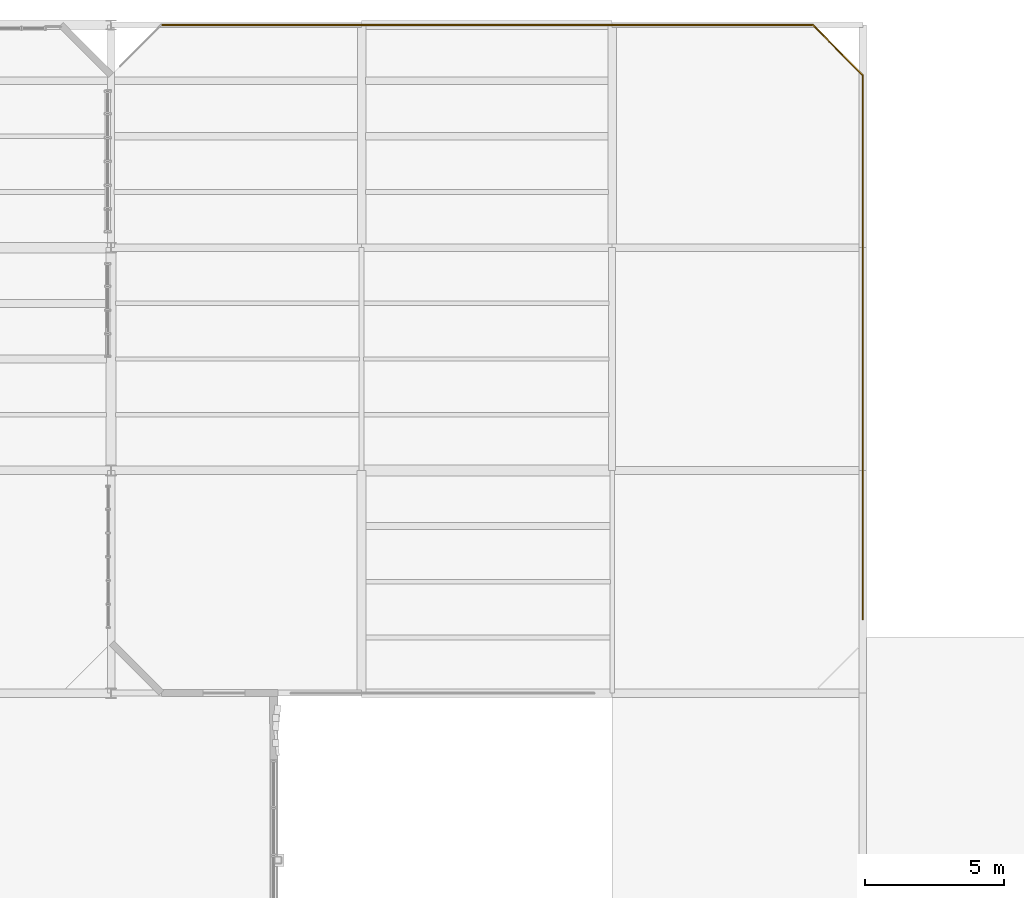
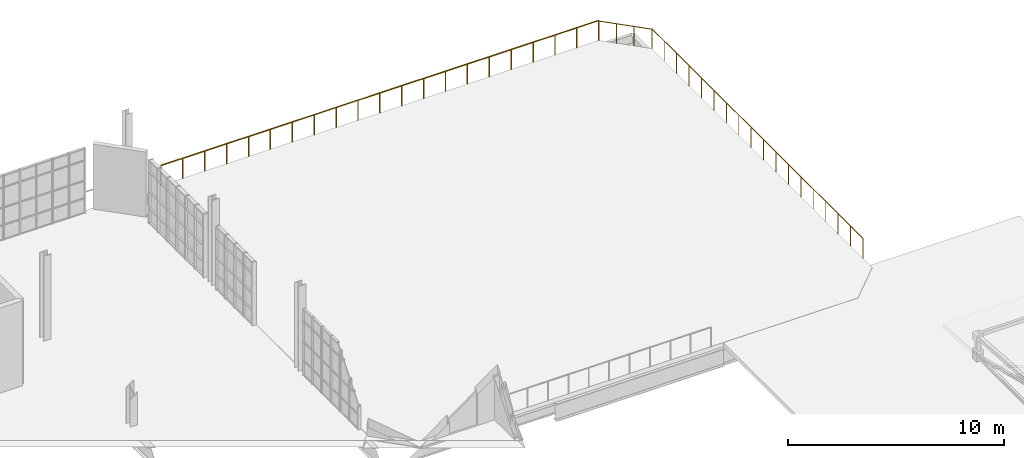
# One storey, part 85 of 85: 3 railings.
"""IFC4 building model written with IfcOpenShell, lengths in metres."""

from ifc_helpers import new_model, si_unit, direction, frame, origin, origin_2d, place, context, subcontext, project, spatial, circle, extrude, material, type_object, element, save


model = new_model("IFC4")

# Units and contexts
model_context = context("Model", 3, precision=1e-05, world=origin(), true_north=direction((0.0, 1.0)))
body_context = subcontext(model_context, "Body", "Model", "MODEL_VIEW")
ifc_project = project(units=[si_unit("LENGTHUNIT", "METRE"), si_unit("AREAUNIT", "SQUARE_METRE"), si_unit("VOLUMEUNIT", "CUBIC_METRE"), si_unit("PLANEANGLEUNIT", "RADIAN"), si_unit("MASSUNIT", "GRAM", prefix="KILO"), si_unit("THERMODYNAMICTEMPERATUREUNIT", "KELVIN"), si_unit("POWERUNIT", "WATT")], contexts=[model_context])

# Site, building, storey
site_placement = place(None, origin())
site = spatial("IfcSite", under=ifc_project, at=site_placement, CompositionType="ELEMENT")
building_placement = place(site_placement, origin())
building = spatial("IfcBuilding", under=site, at=building_placement, Name="Zelmaris Science Centre", CompositionType="ELEMENT")
storey_placement = place(building_placement, frame((0.0, 0.0, 20.39990234375)))
storey = spatial("IfcBuildingStorey", under=building, at=storey_placement, Name="L04", CompositionType="ELEMENT", Elevation=20.39990234375)

# Railings
ifc_material = material(Name="Architectural bronze alloy C28000")
railing_type_1 = type_object("IfcRailingType", Name="Balustrade GD-01 H1120", PredefinedType="BALUSTRADE", material=ifc_material)
railing_1_placement = place(storey_placement, frame((106.199951171875, 88.0, 0.0)))
element("IfcRailing", 1, at=railing_1_placement, inside=storey, type_object=railing_type_1, Name="L04 Terrace safety balustrade 37", PredefinedType="BALUSTRADE", context=body_context, shape_type="SweptSolid", body=[
    extrude(circle(Radius=0.02392578125, at=origin_2d()), frame((0.0, 0.0, 1.09619140625), z_axis=(0.707106781187, -0.707106781187, 0.0), x_axis=(0.707106781187, 0.707106781187, 0.0)), (0.0, 0.0, 1.0), 2.545654296875),
    extrude(circle(Radius=0.02099609375, at=origin_2d()), origin(), (0.0, 0.0, 1.0), 1.072021484375),
    extrude(circle(Radius=0.02099609375, at=origin_2d()), frame((0.60009765625, -0.60009765625, 0.0)), (0.0, 0.0, 1.0), 1.072021484375),
    extrude(circle(Radius=0.02099609375, at=origin_2d()), frame((1.199951171875, -1.199951171875, 0.0)), (0.0, 0.0, 1.0), 1.072021484375),
    extrude(circle(Radius=0.02099609375, at=origin_2d()), frame((1.800048828125, -1.800048828125, 0.0)), (0.0, 0.0, 1.0), 1.072021484375),
])
railing_type_2 = type_object("IfcRailingType", Name="Balustrade GD-02 H1150", PredefinedType="BALUSTRADE", material=ifc_material)
railing_2_placement = place(storey_placement, frame((82.800048828125, 88.0, 0.0)))
element("IfcRailing", 2, at=railing_2_placement, inside=storey, type_object=railing_type_2, Name="L04 Terrace safety balustrade 36", PredefinedType="BALUSTRADE", context=body_context, shape_type="SweptSolid", body=[
    extrude(circle(Radius=0.02392578125, at=origin_2d()), frame((0.0, 0.0, 1.1259765625), z_axis=(1.0, 0.0, 0.0), x_axis=(0.0, 1.0, 0.0)), (0.0, 0.0, 1.0), 23.39990234375),
    extrude(circle(Radius=0.02099609375, at=origin_2d()), origin(), (0.0, 0.0, 1.0), 1.101806640625),
    extrude(circle(Radius=0.02099609375, at=origin_2d()), frame((1.169921875, 0.0, 0.0)), (0.0, 0.0, 1.0), 1.101806640625),
    extrude(circle(Radius=0.02099609375, at=origin_2d()), frame((2.340087890625, 0.0, 0.0)), (0.0, 0.0, 1.0), 1.101806640625),
    extrude(circle(Radius=0.02099609375, at=origin_2d()), frame((3.510009765625, 0.0, 0.0)), (0.0, 0.0, 1.0), 1.101806640625),
    extrude(circle(Radius=0.02099609375, at=origin_2d()), frame((4.679931640625, 0.0, 0.0)), (0.0, 0.0, 1.0), 1.101806640625),
    extrude(circle(Radius=0.02099609375, at=origin_2d()), frame((5.85009765625, 0.0, 0.0)), (0.0, 0.0, 1.0), 1.101806640625),
    extrude(circle(Radius=0.02099609375, at=origin_2d()), frame((7.02001953125, 0.0, 0.0)), (0.0, 0.0, 1.0), 1.101806640625),
    extrude(circle(Radius=0.02099609375, at=origin_2d()), frame((8.18994140625, 0.0, 0.0)), (0.0, 0.0, 1.0), 1.101806640625),
    extrude(circle(Radius=0.02099609375, at=origin_2d()), frame((9.35986328125, 0.0, 0.0)), (0.0, 0.0, 1.0), 1.101806640625),
    extrude(circle(Radius=0.02099609375, at=origin_2d()), frame((10.530029296875, 0.0, 0.0)), (0.0, 0.0, 1.0), 1.101806640625),
    extrude(circle(Radius=0.02099609375, at=origin_2d()), frame((11.699951171875, 0.0, 0.0)), (0.0, 0.0, 1.0), 1.101806640625),
    extrude(circle(Radius=0.02099609375, at=origin_2d()), frame((12.869873046875, 0.0, 0.0)), (0.0, 0.0, 1.0), 1.101806640625),
    extrude(circle(Radius=0.02099609375, at=origin_2d()), frame((14.0400390625, 0.0, 0.0)), (0.0, 0.0, 1.0), 1.101806640625),
    extrude(circle(Radius=0.02099609375, at=origin_2d()), frame((15.2099609375, 0.0, 0.0)), (0.0, 0.0, 1.0), 1.101806640625),
    extrude(circle(Radius=0.02099609375, at=origin_2d()), frame((16.3798828125, 0.0, 0.0)), (0.0, 0.0, 1.0), 1.101806640625),
    extrude(circle(Radius=0.02099609375, at=origin_2d()), frame((17.5498046875, 0.0, 0.0)), (0.0, 0.0, 1.0), 1.101806640625),
    extrude(circle(Radius=0.02099609375, at=origin_2d()), frame((18.719970703125, 0.0, 0.0)), (0.0, 0.0, 1.0), 1.101806640625),
    extrude(circle(Radius=0.02099609375, at=origin_2d()), frame((19.889892578125, 0.0, 0.0)), (0.0, 0.0, 1.0), 1.101806640625),
    extrude(circle(Radius=0.02099609375, at=origin_2d()), frame((21.059814453125, 0.0, 0.0)), (0.0, 0.0, 1.0), 1.101806640625),
    extrude(circle(Radius=0.02099609375, at=origin_2d()), frame((22.22998046875, 0.0, 0.0)), (0.0, 0.0, 1.0), 1.101806640625),
    extrude(circle(Radius=0.02099609375, at=origin_2d()), frame((23.39990234375, 0.0, 0.0)), (0.0, 0.0, 1.0), 1.101806640625),
])
railing_3_placement = place(storey_placement, frame((108.0, 86.199951171875, 0.0)))
element("IfcRailing", 3, at=railing_3_placement, inside=storey, type_object=railing_type_2, Name="L04 Terrace safety balustrade 38", PredefinedType="BALUSTRADE", context=body_context, shape_type="SweptSolid", body=[
    extrude(circle(Radius=0.02392578125, at=origin_2d()), frame((0.0, 0.0, 1.1259765625), z_axis=(0.0, -1.0, 0.0), x_axis=(1.0, 0.0, 0.0)), (0.0, 0.0, 1.0), 19.550537109375),
    extrude(circle(Radius=0.02099609375, at=origin_2d()), origin(), (0.0, 0.0, 1.0), 1.101806640625),
    extrude(circle(Radius=0.02099609375, at=origin_2d()), frame((0.0, -1.150146484375, 0.0)), (0.0, 0.0, 1.0), 1.101806640625),
    extrude(circle(Radius=0.02099609375, at=origin_2d()), frame((0.0, -2.300048828125, 0.0)), (0.0, 0.0, 1.0), 1.101806640625),
    extrude(circle(Radius=0.02099609375, at=origin_2d()), frame((0.0, -3.4501953125, 0.0)), (0.0, 0.0, 1.0), 1.101806640625),
    extrude(circle(Radius=0.02099609375, at=origin_2d()), frame((0.0, -4.60009765625, 0.0)), (0.0, 0.0, 1.0), 1.101806640625),
    extrude(circle(Radius=0.02099609375, at=origin_2d()), frame((0.0, -5.750244140625, 0.0)), (0.0, 0.0, 1.0), 1.101806640625),
    extrude(circle(Radius=0.02099609375, at=origin_2d()), frame((0.0, -6.900146484375, 0.0)), (0.0, 0.0, 1.0), 1.101806640625),
    extrude(circle(Radius=0.02099609375, at=origin_2d()), frame((0.0, -8.05029296875, 0.0)), (0.0, 0.0, 1.0), 1.101806640625),
    extrude(circle(Radius=0.02099609375, at=origin_2d()), frame((0.0, -9.2001953125, 0.0)), (0.0, 0.0, 1.0), 1.101806640625),
    extrude(circle(Radius=0.02099609375, at=origin_2d()), frame((0.0, -10.350341796875, 0.0)), (0.0, 0.0, 1.0), 1.101806640625),
    extrude(circle(Radius=0.02099609375, at=origin_2d()), frame((0.0, -11.500244140625, 0.0)), (0.0, 0.0, 1.0), 1.101806640625),
    extrude(circle(Radius=0.02099609375, at=origin_2d()), frame((0.0, -12.650390625, 0.0)), (0.0, 0.0, 1.0), 1.101806640625),
    extrude(circle(Radius=0.02099609375, at=origin_2d()), frame((0.0, -13.80029296875, 0.0)), (0.0, 0.0, 1.0), 1.101806640625),
    extrude(circle(Radius=0.02099609375, at=origin_2d()), frame((0.0, -14.950439453125, 0.0)), (0.0, 0.0, 1.0), 1.101806640625),
    extrude(circle(Radius=0.02099609375, at=origin_2d()), frame((0.0, -16.100341796875, 0.0)), (0.0, 0.0, 1.0), 1.101806640625),
    extrude(circle(Radius=0.02099609375, at=origin_2d()), frame((0.0, -17.25048828125, 0.0)), (0.0, 0.0, 1.0), 1.101806640625),
    extrude(circle(Radius=0.02099609375, at=origin_2d()), frame((0.0, -18.400390625, 0.0)), (0.0, 0.0, 1.0), 1.101806640625),
    extrude(circle(Radius=0.02099609375, at=origin_2d()), frame((0.0, -19.550537109375, 0.0)), (0.0, 0.0, 1.0), 1.101806640625),
])

save(model, "model.ifc")
